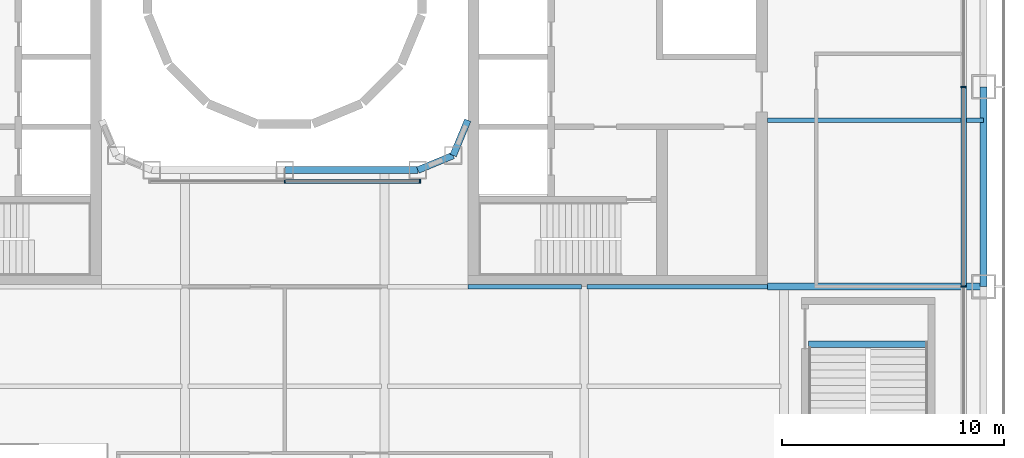
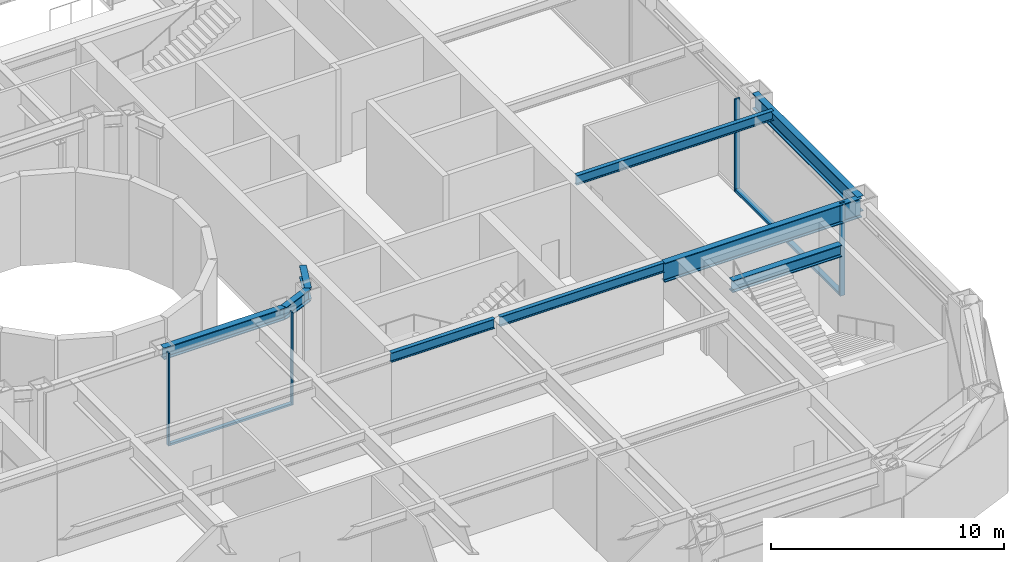
# One storey, part 5 of 24: 9 beams, 6 members, 2 elements without a shape of their own.
"""IFC4 building model written with IfcOpenShell, lengths in metres."""

from ifc_helpers import new_model, si_unit, direction, frame, origin, origin_2d, place, context, subcontext, project, spatial, rectangle, i_section, extrude, material, layer, layer_set, material_profile, profile_set, type_object, element, aggregate, save


model = new_model("IFC4")

# Units and contexts
model_context = context("Model", 3, precision=1e-05, world=origin(), true_north=direction((0.0, 1.0)))
body_context = subcontext(model_context, "Body", "Model", "MODEL_VIEW")
ifc_project = project(units=[si_unit("LENGTHUNIT", "METRE"), si_unit("AREAUNIT", "SQUARE_METRE"), si_unit("VOLUMEUNIT", "CUBIC_METRE"), si_unit("PLANEANGLEUNIT", "RADIAN"), si_unit("MASSUNIT", "GRAM", prefix="KILO")], contexts=[model_context])

# Site, building, storey
site_placement = place(None, origin())
site = spatial("IfcSite", under=ifc_project, at=site_placement, CompositionType="ELEMENT")
building_placement = place(site_placement, origin())
building = spatial("IfcBuilding", under=site, at=building_placement, Name="Siwar Civic Tower", CompositionType="ELEMENT")
storey_placement = place(building_placement, frame((0.0, 0.0, 12.199951171875)))
storey = spatial("IfcBuildingStorey", under=building, at=storey_placement, Name="L02", CompositionType="ELEMENT", Elevation=12.199951171875)

# Curtain wall, members
ifc_material_1 = material(Name="Aluminium and glass", Category="aluminium")
ifc_layer_1 = layer(ifc_material_1, 0.25)
ifc_layer_set_1 = layer_set([ifc_layer_1], Name="Aluminium and glass")
curtain_wall_type_1 = type_object("IfcCurtainWallType", Name="ENV-CW-H", PredefinedType="NOTDEFINED", material=ifc_layer_set_1)
curtain_wall_1_placement = place(storey_placement, origin())
curtain_wall_1 = element("IfcCurtainWall", 1, at=curtain_wall_1_placement, inside=storey, type_object=curtain_wall_type_1, Name="Curtain wall H E", PredefinedType="NOTDEFINED")
ifc_material_2 = material(Name="Aluminium 6063-T6", Category="aluminium")
ifc_material_profile_1 = material_profile(ifc_material_2, rectangle(XDim=0.25, YDim=0.080078125, at=origin_2d()), Name="AL 250x80")
ifc_profile_set_1 = profile_set([ifc_material_profile_1], Name="Aluminium 6063-T6")
member_type_1 = type_object("IfcMemberType", Name="ENV-MULLION-H", PredefinedType="MULLION", material=ifc_profile_set_1)
member_1_placement = place(storey_placement, frame((30.60009765625, -13.5, 0.0), z_axis=(0.0, 0.0, 1.0), x_axis=(-1.0, 0.0, 0.0)))
member_1 = element("IfcMember", 2, at=member_1_placement, type_object=member_type_1, Name="Mullion H E 2", PredefinedType="MULLION", context=body_context, shape_type="SweptSolid", body=[
    extrude(rectangle(XDim=0.25, YDim=0.080078125, at=origin_2d()), origin(), (0.0, 0.0, 1.0), 4.85009765625),
])
member_2_placement = place(storey_placement, frame((30.60009765625, -4.5, 0.0), z_axis=(0.0, 0.0, 1.0), x_axis=(-1.0, 0.0, 0.0)))
member_2 = element("IfcMember", 3, at=member_2_placement, type_object=member_type_1, Name="Mullion H E 3", PredefinedType="MULLION", context=body_context, shape_type="SweptSolid", body=[
    extrude(rectangle(XDim=0.25, YDim=0.080078125, at=origin_2d()), origin(), (0.0, 0.0, 1.0), 4.85009765625),
])

ifc_material_3 = material(Name="Aluminium and glass", Category="aluminium")
ifc_layer_2 = layer(ifc_material_3, 0.179931640625)
ifc_layer_set_2 = layer_set([ifc_layer_2], Name="Aluminium and glass")
curtain_wall_type_2 = type_object("IfcCurtainWallType", Name="ENV-CW-W", PredefinedType="NOTDEFINED", material=ifc_layer_set_2)
curtain_wall_2_placement = place(storey_placement, origin())
curtain_wall_2 = element("IfcCurtainWall", 4, at=curtain_wall_2_placement, inside=storey, type_object=curtain_wall_type_2, Name="Curtain wall W WS", PredefinedType="NOTDEFINED")
ifc_material_4 = material(Name="Aluminium 6063-T6", Category="aluminium")
ifc_material_profile_2 = material_profile(ifc_material_4, rectangle(XDim=0.179931640625, YDim=0.06005859375, at=origin_2d()), Name="AL 180x60")
ifc_profile_set_2 = profile_set([ifc_material_profile_2], Name="Aluminium 6063-T6")
member_type_2 = type_object("IfcMemberType", Name="ENV-MULLION-W", PredefinedType="MULLION", material=ifc_profile_set_2)
member_3_placement = place(storey_placement, frame((0.0, -8.760009765625, 0.0), z_axis=(0.0, 0.0, 1.0), x_axis=(0.0, 1.0, 0.0)))
member_3 = element("IfcMember", 5, at=member_3_placement, type_object=member_type_2, Name="Mullion W WS 2", PredefinedType="MULLION", context=body_context, shape_type="SweptSolid", body=[
    extrude(rectangle(XDim=0.179931640625, YDim=0.06005859375, at=origin_2d()), origin(), (0.0, 0.0, 1.0), 4.85009765625),
])
member_4_placement = place(storey_placement, frame((6.1015625, -8.760009765625, 0.0), z_axis=(0.0, 0.0, 1.0), x_axis=(0.0, 1.0, 0.0)))
member_4 = element("IfcMember", 6, at=member_4_placement, type_object=member_type_2, Name="Mullion W WS 3", PredefinedType="MULLION", context=body_context, shape_type="SweptSolid", body=[
    extrude(rectangle(XDim=0.179931640625, YDim=0.06005859375, at=origin_2d()), origin(), (0.0, 0.0, 1.0), 4.85009765625),
])

# Member
ifc_material_5 = material(Name="Aluminium 6063-T6", Category="aluminium")
ifc_material_profile_3 = material_profile(ifc_material_5, rectangle(XDim=0.25, YDim=0.139892578125, at=origin_2d()), Name="AL 250x140")
ifc_profile_set_3 = profile_set([ifc_material_profile_3], Name="Aluminium 6063-T6")
member_type_3 = type_object("IfcMemberType", Name="ENV-TRANSOM-H", PredefinedType="USERDEFINED", material=ifc_profile_set_3)
member_5_placement = place(storey_placement, frame((30.60009765625, -13.4599609375, 0.070068359375), z_axis=(0.0, 1.0, 0.0), x_axis=(-1.0, 0.0, 0.0)))
member_5 = element("IfcMember", 7, at=member_5_placement, type_object=member_type_3, Name="Transom H E 2", ObjectType="TRANSOM", PredefinedType="USERDEFINED", context=body_context, shape_type="SweptSolid", body=[
    extrude(rectangle(XDim=0.25, YDim=0.139892578125, at=origin_2d()), origin(), (0.0, 0.0, 1.0), 8.919921875),
])

aggregate(curtain_wall_1, [member_1, member_2, member_5])

ifc_material_6 = material(Name="Aluminium 6063-T6", Category="aluminium")
ifc_material_profile_4 = material_profile(ifc_material_6, rectangle(XDim=0.179931640625, YDim=0.10009765625, at=origin_2d()), Name="AL 180x100")
ifc_profile_set_4 = profile_set([ifc_material_profile_4], Name="Aluminium 6063-T6")
member_type_4 = type_object("IfcMemberType", Name="ENV-TRANSOM-W", PredefinedType="USERDEFINED", material=ifc_profile_set_4)
member_6_placement = place(storey_placement, frame((0.030029296875, -8.760009765625, 0.050048828125), z_axis=(1.0, 0.0, 0.0), x_axis=(0.0, 1.0, 0.0)))
member_6 = element("IfcMember", 8, at=member_6_placement, type_object=member_type_4, Name="Transom W WS 2", ObjectType="TRANSOM", PredefinedType="USERDEFINED", context=body_context, shape_type="SweptSolid", body=[
    extrude(rectangle(XDim=0.179931640625, YDim=0.10009765625, at=origin_2d()), origin(), (0.0, 0.0, 1.0), 6.04150390625),
])

aggregate(curtain_wall_2, [member_3, member_4, member_6])

# Beams
ifc_material_7 = material(Name="Steel S355", Category="steel")
ifc_material_profile_5 = material_profile(ifc_material_7, i_section(OverallWidth=0.199951171875, OverallDepth=0.5, WebThickness=0.01025390625, FlangeThickness=0.01611328125, FilletRadius=0.02099609375, at=origin_2d()), Name="IPE500")
ifc_profile_set_5 = profile_set([ifc_material_profile_5], Name="Steel S355")
beam_type_1 = type_object("IfcBeamType", Name="STR-FB-IPE500", PredefinedType="JOIST", material=ifc_profile_set_5)
beam_1_placement = place(storey_placement, frame((8.25, -13.5, 4.60009765625), z_axis=(1.0, 0.0, 0.0), x_axis=(0.0, 1.0, 0.0)))
element("IfcBeam", 9, at=beam_1_placement, inside=storey, type_object=beam_type_1, Name="L02/bm/F026", PredefinedType="JOIST", context=body_context, shape_type="SweptSolid", body=[
    extrude(i_section(OverallWidth=0.199951171875, OverallDepth=0.5, WebThickness=0.01025390625, FlangeThickness=0.01611328125, FilletRadius=0.02099609375, at=origin_2d()), origin(), (0.0, 0.0, 1.0), 5.1201171875),
])
beam_2_placement = place(storey_placement, frame((13.6298828125, -13.5, 4.60009765625), z_axis=(1.0, 0.0, 0.0), x_axis=(0.0, 1.0, 0.0)))
element("IfcBeam", 10, at=beam_2_placement, inside=storey, type_object=beam_type_1, Name="L02/bm/F027", PredefinedType="JOIST", context=body_context, shape_type="SweptSolid", body=[
    extrude(i_section(OverallWidth=0.199951171875, OverallDepth=0.5, WebThickness=0.01025390625, FlangeThickness=0.01611328125, FilletRadius=0.02099609375, at=origin_2d()), origin(), (0.0, 0.0, 1.0), 8.1201171875),
])
beam_3_placement = place(storey_placement, frame((21.75, -6.0, 4.60009765625), z_axis=(1.0, 0.0, 0.0), x_axis=(0.0, 1.0, 0.0)))
element("IfcBeam", 11, at=beam_3_placement, inside=storey, type_object=beam_type_1, Name="L02/bm/F030", PredefinedType="JOIST", context=body_context, shape_type="SweptSolid", body=[
    extrude(i_section(OverallWidth=0.199951171875, OverallDepth=0.5, WebThickness=0.01025390625, FlangeThickness=0.01611328125, FilletRadius=0.02099609375, at=origin_2d()), origin(), (0.0, 0.0, 1.0), 9.75),
])
ifc_material_8 = material(Name="Steel S355", Category="steel")
ifc_material_profile_6 = material_profile(ifc_material_8, i_section(OverallWidth=0.300048828125, OverallDepth=1.0, WebThickness=0.01904296875, FlangeThickness=0.035888671875, FilletRadius=0.030029296875, at=origin_2d()), Name="HEB1000")
ifc_profile_set_6 = profile_set([ifc_material_profile_6], Name="Steel S355")
beam_type_2 = type_object("IfcBeamType", Name="STR-PG-HEB1000", PredefinedType="BEAM", material=ifc_profile_set_6)
beam_4_placement = place(storey_placement, frame((21.75, -13.5, 4.35009765625), z_axis=(1.0, 0.0, 0.0), x_axis=(0.0, 1.0, 0.0)))
element("IfcBeam", 12, at=beam_4_placement, inside=storey, type_object=beam_type_2, Name="L02/bm/F028", PredefinedType="BEAM", context=body_context, shape_type="SweptSolid", body=[
    extrude(i_section(OverallWidth=0.300048828125, OverallDepth=1.0, WebThickness=0.01904296875, FlangeThickness=0.035888671875, FilletRadius=0.030029296875, at=origin_2d()), origin(), (0.0, 0.0, 1.0), 9.75),
])
ifc_material_9 = material(Name="Steel S355", Category="steel")
ifc_material_profile_7 = material_profile(ifc_material_9, i_section(OverallWidth=0.304931640625, OverallDepth=0.6201171875, WebThickness=0.02099609375, FlangeThickness=0.0400390625, FilletRadius=0.027099609375, at=origin_2d()), Name="HEM600")
ifc_profile_set_7 = profile_set([ifc_material_profile_7], Name="Steel S355")
beam_type_3 = type_object("IfcBeamType", Name="STR-RB-HEM600", PredefinedType="BEAM", material=ifc_profile_set_7)
beam_5_placement = place(storey_placement, frame((0.0, -8.25, 4.5400390625), z_axis=(1.0, 0.0, 0.0), x_axis=(0.0, 1.0, 0.0)))
element("IfcBeam", 13, at=beam_5_placement, inside=storey, type_object=beam_type_3, Name="L02/bm/RS2", PredefinedType="BEAM", context=body_context, shape_type="SweptSolid", body=[
    extrude(i_section(OverallWidth=0.304931640625, OverallDepth=0.6201171875, WebThickness=0.02099609375, FlangeThickness=0.0400390625, FilletRadius=0.027099609375, at=origin_2d()), origin(), (0.0, 0.0, 1.0), 6.0),
])
for number, where, z_axis, x_axis, name in (
    (14, (6.0, -8.25, 4.5400390625), (0.923901072997, 0.382631424892, 0.0), (-0.382631424892, 0.923901072997, 0.0), "L02/bm/RS3"),
    (15, (7.591064453125, -7.591064453125, 4.5400390625), (0.382631424892, 0.923901072997, 0.0), (-0.923901072997, 0.382631424892, 0.0), "L02/bm/RSEE"),
):
    element("IfcBeam", number, at=place(storey_placement, frame(where, z_axis=z_axis, x_axis=x_axis)), inside=storey, type_object=beam_type_3, Name=name, PredefinedType="BEAM", context=body_context, shape_type="SweptSolid", body=[
        extrude(i_section(OverallWidth=0.304931640625, OverallDepth=0.6201171875, WebThickness=0.02099609375, FlangeThickness=0.0400390625, FilletRadius=0.027099609375, at=origin_2d()), origin(), (0.0, 0.0, 1.0), 1.72216796875),
    ])
beam_6_placement = place(storey_placement, frame((29.0, -16.097412109375, 4.5400390625), z_axis=(-1.0, 0.0, 0.0), x_axis=(0.0, -1.0, 0.0)))
element("IfcBeam", 16, at=beam_6_placement, inside=storey, type_object=beam_type_3, Name="Stair opening beam ST6", PredefinedType="BEAM", context=body_context, shape_type="SweptSolid", body=[
    extrude(i_section(OverallWidth=0.304931640625, OverallDepth=0.6201171875, WebThickness=0.02099609375, FlangeThickness=0.0400390625, FilletRadius=0.027099609375, at=origin_2d()), origin(), (0.0, 0.0, 1.0), 5.39990234375),
])
ifc_material_10 = material(Name="Steel S355", Category="steel")
ifc_material_profile_8 = material_profile(ifc_material_10, i_section(OverallWidth=0.302978515625, OverallDepth=0.81396484375, WebThickness=0.02099609375, FlangeThickness=0.0400390625, FilletRadius=0.030029296875, at=origin_2d()), Name="HEM800")
ifc_profile_set_8 = profile_set([ifc_material_profile_8], Name="Steel S355")
beam_type_4 = type_object("IfcBeamType", Name="STR-SB-HEM800", PredefinedType="BEAM", material=ifc_profile_set_8)
beam_7_placement = place(storey_placement, frame((31.5, -13.5, 4.443115234375), z_axis=(0.0, 1.0, 0.0), x_axis=(-1.0, 0.0, 0.0)))
element("IfcBeam", 17, at=beam_7_placement, inside=storey, type_object=beam_type_4, Name="L02/bm/SE-1", PredefinedType="BEAM", context=body_context, shape_type="SweptSolid", body=[
    extrude(i_section(OverallWidth=0.302978515625, OverallDepth=0.81396484375, WebThickness=0.02099609375, FlangeThickness=0.0400390625, FilletRadius=0.030029296875, at=origin_2d()), origin(), (0.0, 0.0, 1.0), 9.0),
])

save(model, "model.ifc")
